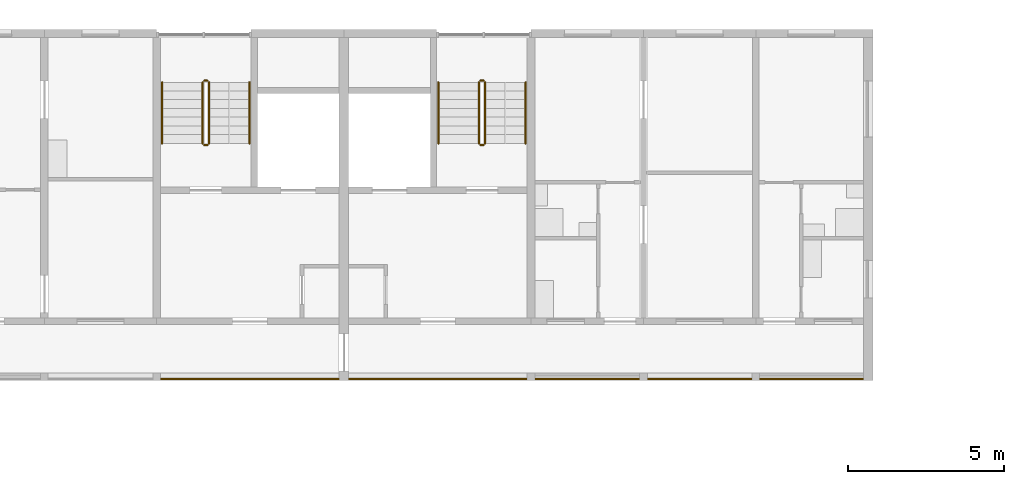
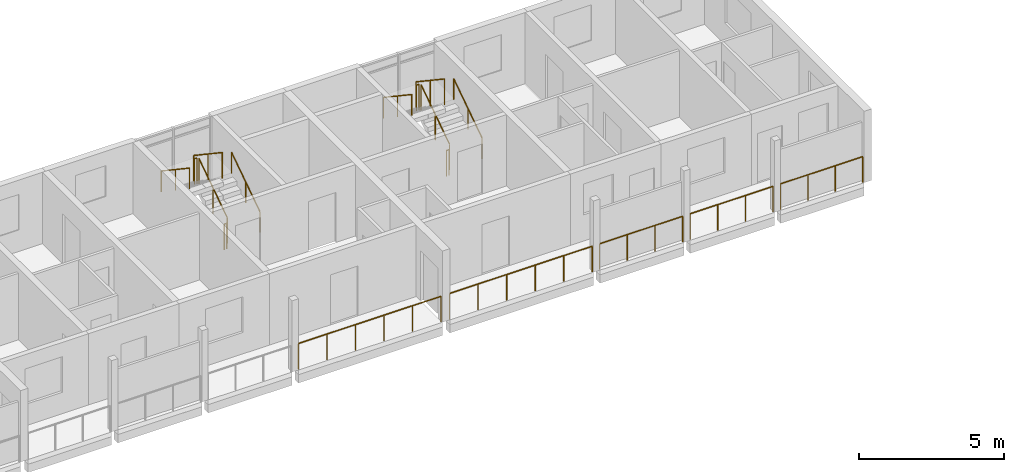
# One storey, part 120 of 122: 17 railings.
"""IFC4 building model written with IfcOpenShell, lengths in metres."""

from ifc_helpers import new_model, si_unit, direction, frame, origin, origin_2d, place, context, subcontext, project, spatial, circle, extrude, material, type_object, element, save


model = new_model("IFC4")

# Units and contexts
model_context = context("Model", 3, precision=1e-05, world=origin(), true_north=direction((0.0, 1.0)))
body_context = subcontext(model_context, "Body", "Model", "MODEL_VIEW")
ifc_project = project(units=[si_unit("LENGTHUNIT", "METRE"), si_unit("AREAUNIT", "SQUARE_METRE"), si_unit("VOLUMEUNIT", "CUBIC_METRE"), si_unit("PLANEANGLEUNIT", "RADIAN"), si_unit("MASSUNIT", "GRAM", prefix="KILO")], contexts=[model_context])

# Site, building, storey
site_placement = place(None, origin())
site = spatial("IfcSite", under=ifc_project, at=site_placement, CompositionType="ELEMENT")
building_placement = place(site_placement, origin())
building = spatial("IfcBuilding", under=site, at=building_placement, Name="Ridgestep Commons", CompositionType="ELEMENT")
storey_placement = place(building_placement, frame((0.0, 0.0, 3.0)))
storey = spatial("IfcBuildingStorey", under=building, at=storey_placement, Name="L01", CompositionType="ELEMENT", Elevation=3.0)

# Railings
ifc_material_1 = material(Name="Structural steel S355JR", Category="steel")
railing_type_1 = type_object("IfcRailingType", Name="Guard 1100", PredefinedType="GUARDRAIL", material=ifc_material_1)
railing_1_placement = place(storey_placement, frame((224.946044921875, 66.050048828125, 0.0)))
element("IfcRailing", 1, at=railing_1_placement, inside=storey, type_object=railing_type_1, Name="Gallery guard C 01.20", PredefinedType="GUARDRAIL", context=body_context, shape_type="SweptSolid", body=[
    extrude(circle(Radius=0.02392578125, at=origin_2d()), frame((0.0, 0.0, 1.076171875), z_axis=(1.0, 0.0, 0.0), x_axis=(0.0, 1.0, 0.0)), (0.0, 0.0, 1.0), 5.682861328125),
    extrude(circle(Radius=0.02099609375, at=origin_2d()), origin(), (0.0, 0.0, 1.0), 1.052001953125),
    extrude(circle(Radius=0.02099609375, at=origin_2d()), frame((1.136474609375, 0.0, 0.0)), (0.0, 0.0, 1.0), 1.052001953125),
    extrude(circle(Radius=0.02099609375, at=origin_2d()), frame((2.273193359375, 0.0, 0.0)), (0.0, 0.0, 1.0), 1.052001953125),
    extrude(circle(Radius=0.02099609375, at=origin_2d()), frame((3.40966796875, 0.0, 0.0)), (0.0, 0.0, 1.0), 1.052001953125),
    extrude(circle(Radius=0.02099609375, at=origin_2d()), frame((4.54638671875, 0.0, 0.0)), (0.0, 0.0, 1.0), 1.052001953125),
    extrude(circle(Radius=0.02099609375, at=origin_2d()), frame((5.682861328125, 0.0, 0.0)), (0.0, 0.0, 1.0), 1.052001953125),
])
railing_2_placement = place(storey_placement, frame((230.970947265625, 66.050048828125, 0.0)))
element("IfcRailing", 2, at=railing_2_placement, inside=storey, type_object=railing_type_1, Name="Gallery guard C 01.21", PredefinedType="GUARDRAIL", context=body_context, shape_type="SweptSolid", body=[
    extrude(circle(Radius=0.02392578125, at=origin_2d()), frame((0.0, 0.0, 1.076171875), z_axis=(1.0, 0.0, 0.0), x_axis=(0.0, 1.0, 0.0)), (0.0, 0.0, 1.0), 5.68310546875),
    extrude(circle(Radius=0.02099609375, at=origin_2d()), origin(), (0.0, 0.0, 1.0), 1.052001953125),
    extrude(circle(Radius=0.02099609375, at=origin_2d()), frame((1.13671875, 0.0, 0.0)), (0.0, 0.0, 1.0), 1.052001953125),
    extrude(circle(Radius=0.02099609375, at=origin_2d()), frame((2.273193359375, 0.0, 0.0)), (0.0, 0.0, 1.0), 1.052001953125),
    extrude(circle(Radius=0.02099609375, at=origin_2d()), frame((3.409912109375, 0.0, 0.0)), (0.0, 0.0, 1.0), 1.052001953125),
    extrude(circle(Radius=0.02099609375, at=origin_2d()), frame((4.54638671875, 0.0, 0.0)), (0.0, 0.0, 1.0), 1.052001953125),
    extrude(circle(Radius=0.02099609375, at=origin_2d()), frame((5.68310546875, 0.0, 0.0)), (0.0, 0.0, 1.0), 1.052001953125),
])
railing_3_placement = place(storey_placement, frame((236.946044921875, 66.050048828125, 0.0)))
element("IfcRailing", 3, at=railing_3_placement, inside=storey, type_object=railing_type_1, Name="Gallery guard C 01.22", PredefinedType="GUARDRAIL", context=body_context, shape_type="SweptSolid", body=[
    extrude(circle(Radius=0.02392578125, at=origin_2d()), frame((0.0, 0.0, 1.076171875), z_axis=(1.0, 0.0, 0.0), x_axis=(0.0, 1.0, 0.0)), (0.0, 0.0, 1.0), 3.307861328125),
    extrude(circle(Radius=0.02099609375, at=origin_2d()), origin(), (0.0, 0.0, 1.0), 1.052001953125),
    extrude(circle(Radius=0.02099609375, at=origin_2d()), frame((1.1025390625, 0.0, 0.0)), (0.0, 0.0, 1.0), 1.052001953125),
    extrude(circle(Radius=0.02099609375, at=origin_2d()), frame((2.205322265625, 0.0, 0.0)), (0.0, 0.0, 1.0), 1.052001953125),
    extrude(circle(Radius=0.02099609375, at=origin_2d()), frame((3.307861328125, 0.0, 0.0)), (0.0, 0.0, 1.0), 1.052001953125),
])
railing_4_placement = place(storey_placement, frame((240.5458984375, 66.050048828125, 0.0)))
element("IfcRailing", 4, at=railing_4_placement, inside=storey, type_object=railing_type_1, Name="Gallery guard C 01.23", PredefinedType="GUARDRAIL", context=body_context, shape_type="SweptSolid", body=[
    extrude(circle(Radius=0.02392578125, at=origin_2d()), frame((0.0, 0.0, 1.076171875), z_axis=(1.0, 0.0, 0.0), x_axis=(0.0, 1.0, 0.0)), (0.0, 0.0, 1.0), 3.30810546875),
    extrude(circle(Radius=0.02099609375, at=origin_2d()), origin(), (0.0, 0.0, 1.0), 1.052001953125),
    extrude(circle(Radius=0.02099609375, at=origin_2d()), frame((1.102783203125, 0.0, 0.0)), (0.0, 0.0, 1.0), 1.052001953125),
    extrude(circle(Radius=0.02099609375, at=origin_2d()), frame((2.205322265625, 0.0, 0.0)), (0.0, 0.0, 1.0), 1.052001953125),
    extrude(circle(Radius=0.02099609375, at=origin_2d()), frame((3.30810546875, 0.0, 0.0)), (0.0, 0.0, 1.0), 1.052001953125),
])
railing_5_placement = place(storey_placement, frame((244.14599609375, 66.050048828125, 0.0)))
element("IfcRailing", 5, at=railing_5_placement, inside=storey, type_object=railing_type_1, Name="Gallery guard C 01.24", PredefinedType="GUARDRAIL", context=body_context, shape_type="SweptSolid", body=[
    extrude(circle(Radius=0.02392578125, at=origin_2d()), frame((0.0, 0.0, 1.076171875), z_axis=(1.0, 0.0, 0.0), x_axis=(0.0, 1.0, 0.0)), (0.0, 0.0, 1.0), 3.282958984375),
    extrude(circle(Radius=0.02099609375, at=origin_2d()), origin(), (0.0, 0.0, 1.0), 1.052001953125),
    extrude(circle(Radius=0.02099609375, at=origin_2d()), frame((1.09423828125, 0.0, 0.0)), (0.0, 0.0, 1.0), 1.052001953125),
    extrude(circle(Radius=0.02099609375, at=origin_2d()), frame((2.188720703125, 0.0, 0.0)), (0.0, 0.0, 1.0), 1.052001953125),
    extrude(circle(Radius=0.02099609375, at=origin_2d()), frame((3.282958984375, 0.0, 0.0)), (0.0, 0.0, 1.0), 1.052001953125),
])
ifc_material_2 = material(Name="Structural steel S355JR", Category="steel")
railing_type_2 = type_object("IfcRailingType", Name="Stair guard 1100", PredefinedType="GUARDRAIL", material=ifc_material_2)
railing_6_placement = place(storey_placement, frame((226.47509765625, 73.60009765625, 0.1875)))
element("IfcRailing", 6, at=railing_6_placement, inside=storey, type_object=railing_type_2, Name="L01 C5C stair guard 1", PredefinedType="GUARDRAIL", context=body_context, shape_type="SweptSolid", body=[
    extrude(circle(Radius=0.02392578125, at=origin_2d()), frame((0.0, 0.0, 1.076171875), z_axis=(0.0, 0.830902050051, 0.556418712142), x_axis=(-1.0, 0.0, 0.0)), (0.0, 0.0, 1.0), 2.35888671875),
    extrude(circle(Radius=0.02099609375, at=origin_2d()), origin(), (0.0, 0.0, 1.0), 1.052001953125),
    extrude(circle(Radius=0.02099609375, at=origin_2d()), frame((0.0, 0.97998046875, 0.65625)), (0.0, 0.0, 1.0), 1.052001953125),
    extrude(circle(Radius=0.02099609375, at=origin_2d()), frame((0.0, 1.9599609375, 1.3125)), (0.0, 0.0, 1.0), 1.052001953125),
])
railing_7_placement = place(storey_placement, frame((226.425048828125, 75.610107421875, 1.5)))
element("IfcRailing", 7, at=railing_7_placement, inside=storey, type_object=railing_type_2, Name="L01 C5C stair guard 2", PredefinedType="GUARDRAIL", context=body_context, shape_type="SweptSolid", body=[
    extrude(circle(Radius=0.02392578125, at=origin_2d()), frame((0.0, 0.0, 1.076171875), z_axis=(-1.0, 0.0, 0.0), x_axis=(0.0, -1.0, 0.0)), (0.0, 0.0, 1.0), 0.10009765625),
    extrude(circle(Radius=0.02099609375, at=origin_2d()), origin(), (0.0, 0.0, 1.0), 1.052001953125),
    extrude(circle(Radius=0.02099609375, at=origin_2d()), frame((-0.10009765625, 0.0, 0.0)), (0.0, 0.0, 1.0), 1.052001953125),
])
railing_8_placement = place(storey_placement, frame((226.27490234375, 75.56005859375, 1.6875)))
element("IfcRailing", 8, at=railing_8_placement, inside=storey, type_object=railing_type_2, Name="L01 C5C stair guard 3", PredefinedType="GUARDRAIL", context=body_context, shape_type="SweptSolid", body=[
    extrude(circle(Radius=0.02392578125, at=origin_2d()), frame((0.0, 0.0, 1.076171875), z_axis=(0.0, -0.830902050051, 0.556418712142), x_axis=(1.0, 0.0, 0.0)), (0.0, 0.0, 1.0), 2.35888671875),
    extrude(circle(Radius=0.02099609375, at=origin_2d()), origin(), (0.0, 0.0, 1.0), 1.052001953125),
    extrude(circle(Radius=0.02099609375, at=origin_2d()), frame((0.0, -0.97998046875, 0.65625)), (0.0, 0.0, 1.0), 1.052001953125),
    extrude(circle(Radius=0.02099609375, at=origin_2d()), frame((0.0, -1.9599609375, 1.3125)), (0.0, 0.0, 1.0), 1.052001953125),
])
railing_9_placement = place(storey_placement, frame((226.425048828125, 73.550048828125, 0.0)))
element("IfcRailing", 9, at=railing_9_placement, inside=storey, type_object=railing_type_2, Name="L01 C5C stair guard 4", PredefinedType="GUARDRAIL", context=body_context, shape_type="SweptSolid", body=[
    extrude(circle(Radius=0.02392578125, at=origin_2d()), frame((0.0, 0.0, 1.076171875), z_axis=(-1.0, 0.0, 0.0), x_axis=(0.0, -1.0, 0.0)), (0.0, 0.0, 1.0), 0.10009765625),
    extrude(circle(Radius=0.02099609375, at=origin_2d()), origin(), (0.0, 0.0, 1.0), 1.052001953125),
    extrude(circle(Radius=0.02099609375, at=origin_2d()), frame((-0.10009765625, 0.0, 0.0)), (0.0, 0.0, 1.0), 1.052001953125),
])
railing_10_placement = place(storey_placement, frame((235.324951171875, 73.60009765625, 0.1875)))
element("IfcRailing", 10, at=railing_10_placement, inside=storey, type_object=railing_type_2, Name="L01 C6C stair guard 1", PredefinedType="GUARDRAIL", context=body_context, shape_type="SweptSolid", body=[
    extrude(circle(Radius=0.02392578125, at=origin_2d()), frame((0.0, 0.0, 1.076171875), z_axis=(0.0, 0.830902050051, 0.556418712142), x_axis=(-1.0, 0.0, 0.0)), (0.0, 0.0, 1.0), 2.35888671875),
    extrude(circle(Radius=0.02099609375, at=origin_2d()), origin(), (0.0, 0.0, 1.0), 1.052001953125),
    extrude(circle(Radius=0.02099609375, at=origin_2d()), frame((0.0, 0.97998046875, 0.65625)), (0.0, 0.0, 1.0), 1.052001953125),
    extrude(circle(Radius=0.02099609375, at=origin_2d()), frame((0.0, 1.9599609375, 1.3125)), (0.0, 0.0, 1.0), 1.052001953125),
])
railing_11_placement = place(storey_placement, frame((235.27490234375, 75.610107421875, 1.5)))
element("IfcRailing", 11, at=railing_11_placement, inside=storey, type_object=railing_type_2, Name="L01 C6C stair guard 2", PredefinedType="GUARDRAIL", context=body_context, shape_type="SweptSolid", body=[
    extrude(circle(Radius=0.02392578125, at=origin_2d()), frame((0.0, 0.0, 1.076171875), z_axis=(-1.0, 0.0, 0.0), x_axis=(0.0, -1.0, 0.0)), (0.0, 0.0, 1.0), 0.099853515625),
    extrude(circle(Radius=0.02099609375, at=origin_2d()), origin(), (0.0, 0.0, 1.0), 1.052001953125),
    extrude(circle(Radius=0.02099609375, at=origin_2d()), frame((-0.099853515625, 0.0, 0.0)), (0.0, 0.0, 1.0), 1.052001953125),
])
railing_12_placement = place(storey_placement, frame((235.125, 75.56005859375, 1.6875)))
element("IfcRailing", 12, at=railing_12_placement, inside=storey, type_object=railing_type_2, Name="L01 C6C stair guard 3", PredefinedType="GUARDRAIL", context=body_context, shape_type="SweptSolid", body=[
    extrude(circle(Radius=0.02392578125, at=origin_2d()), frame((0.0, 0.0, 1.076171875), z_axis=(0.0, -0.830902050051, 0.556418712142), x_axis=(1.0, 0.0, 0.0)), (0.0, 0.0, 1.0), 2.35888671875),
    extrude(circle(Radius=0.02099609375, at=origin_2d()), origin(), (0.0, 0.0, 1.0), 1.052001953125),
    extrude(circle(Radius=0.02099609375, at=origin_2d()), frame((0.0, -0.97998046875, 0.65625)), (0.0, 0.0, 1.0), 1.052001953125),
    extrude(circle(Radius=0.02099609375, at=origin_2d()), frame((0.0, -1.9599609375, 1.3125)), (0.0, 0.0, 1.0), 1.052001953125),
])
railing_13_placement = place(storey_placement, frame((235.27490234375, 73.550048828125, 0.0)))
element("IfcRailing", 13, at=railing_13_placement, inside=storey, type_object=railing_type_2, Name="L01 C6C stair guard 4", PredefinedType="GUARDRAIL", context=body_context, shape_type="SweptSolid", body=[
    extrude(circle(Radius=0.02392578125, at=origin_2d()), frame((0.0, 0.0, 1.076171875), z_axis=(-1.0, 0.0, 0.0), x_axis=(0.0, -1.0, 0.0)), (0.0, 0.0, 1.0), 0.099853515625),
    extrude(circle(Radius=0.02099609375, at=origin_2d()), origin(), (0.0, 0.0, 1.0), 1.052001953125),
    extrude(circle(Radius=0.02099609375, at=origin_2d()), frame((-0.099853515625, 0.0, 0.0)), (0.0, 0.0, 1.0), 1.052001953125),
])
ifc_material_3 = material(Name="Structural steel S355JR", Category="steel")
railing_type_3 = type_object("IfcRailingType", Name="Stair handrail 900", PredefinedType="HANDRAIL", material=ifc_material_3)
railing_14_placement = place(storey_placement, frame((227.77490234375, 73.60009765625, 0.1875)))
element("IfcRailing", 14, at=railing_14_placement, inside=storey, type_object=railing_type_3, Name="L01 C5C stair handrail 1", PredefinedType="HANDRAIL", context=body_context, shape_type="SweptSolid", body=[
    extrude(circle(Radius=0.02392578125, at=origin_2d()), frame((0.0, 0.0, 0.8759765625), z_axis=(0.0, 0.830902050051, 0.556418712142), x_axis=(-1.0, 0.0, 0.0)), (0.0, 0.0, 1.0), 2.35888671875),
    extrude(circle(Radius=0.02099609375, at=origin_2d()), origin(), (0.0, 0.0, 1.0), 0.851806640625),
    extrude(circle(Radius=0.02099609375, at=origin_2d()), frame((0.0, 0.97998046875, 0.65625)), (0.0, 0.0, 1.0), 0.851806640625),
    extrude(circle(Radius=0.02099609375, at=origin_2d()), frame((0.0, 1.9599609375, 1.3125)), (0.0, 0.0, 1.0), 0.851806640625),
])
railing_15_placement = place(storey_placement, frame((224.97509765625, 75.56005859375, 1.6875)))
element("IfcRailing", 15, at=railing_15_placement, inside=storey, type_object=railing_type_3, Name="L01 C5C stair handrail 2", PredefinedType="HANDRAIL", context=body_context, shape_type="SweptSolid", body=[
    extrude(circle(Radius=0.02392578125, at=origin_2d()), frame((0.0, 0.0, 0.8759765625), z_axis=(0.0, -0.830902050051, 0.556418712142), x_axis=(1.0, 0.0, 0.0)), (0.0, 0.0, 1.0), 2.35888671875),
    extrude(circle(Radius=0.02099609375, at=origin_2d()), origin(), (0.0, 0.0, 1.0), 0.851806640625),
    extrude(circle(Radius=0.02099609375, at=origin_2d()), frame((0.0, -0.97998046875, 0.65625)), (0.0, 0.0, 1.0), 0.851806640625),
    extrude(circle(Radius=0.02099609375, at=origin_2d()), frame((0.0, -1.9599609375, 1.3125)), (0.0, 0.0, 1.0), 0.851806640625),
])
railing_16_placement = place(storey_placement, frame((236.625, 73.60009765625, 0.1875)))
element("IfcRailing", 16, at=railing_16_placement, inside=storey, type_object=railing_type_3, Name="L01 C6C stair handrail 1", PredefinedType="HANDRAIL", context=body_context, shape_type="SweptSolid", body=[
    extrude(circle(Radius=0.02392578125, at=origin_2d()), frame((0.0, 0.0, 0.8759765625), z_axis=(0.0, 0.830902050051, 0.556418712142), x_axis=(-1.0, 0.0, 0.0)), (0.0, 0.0, 1.0), 2.35888671875),
    extrude(circle(Radius=0.02099609375, at=origin_2d()), origin(), (0.0, 0.0, 1.0), 0.851806640625),
    extrude(circle(Radius=0.02099609375, at=origin_2d()), frame((0.0, 0.97998046875, 0.65625)), (0.0, 0.0, 1.0), 0.851806640625),
    extrude(circle(Radius=0.02099609375, at=origin_2d()), frame((0.0, 1.9599609375, 1.3125)), (0.0, 0.0, 1.0), 0.851806640625),
])
railing_17_placement = place(storey_placement, frame((233.824951171875, 75.56005859375, 1.6875)))
element("IfcRailing", 17, at=railing_17_placement, inside=storey, type_object=railing_type_3, Name="L01 C6C stair handrail 2", PredefinedType="HANDRAIL", context=body_context, shape_type="SweptSolid", body=[
    extrude(circle(Radius=0.02392578125, at=origin_2d()), frame((0.0, 0.0, 0.8759765625), z_axis=(0.0, -0.830902050051, 0.556418712142), x_axis=(1.0, 0.0, 0.0)), (0.0, 0.0, 1.0), 2.35888671875),
    extrude(circle(Radius=0.02099609375, at=origin_2d()), origin(), (0.0, 0.0, 1.0), 0.851806640625),
    extrude(circle(Radius=0.02099609375, at=origin_2d()), frame((0.0, -0.97998046875, 0.65625)), (0.0, 0.0, 1.0), 0.851806640625),
    extrude(circle(Radius=0.02099609375, at=origin_2d()), frame((0.0, -1.9599609375, 1.3125)), (0.0, 0.0, 1.0), 0.851806640625),
])

save(model, "model.ifc")
